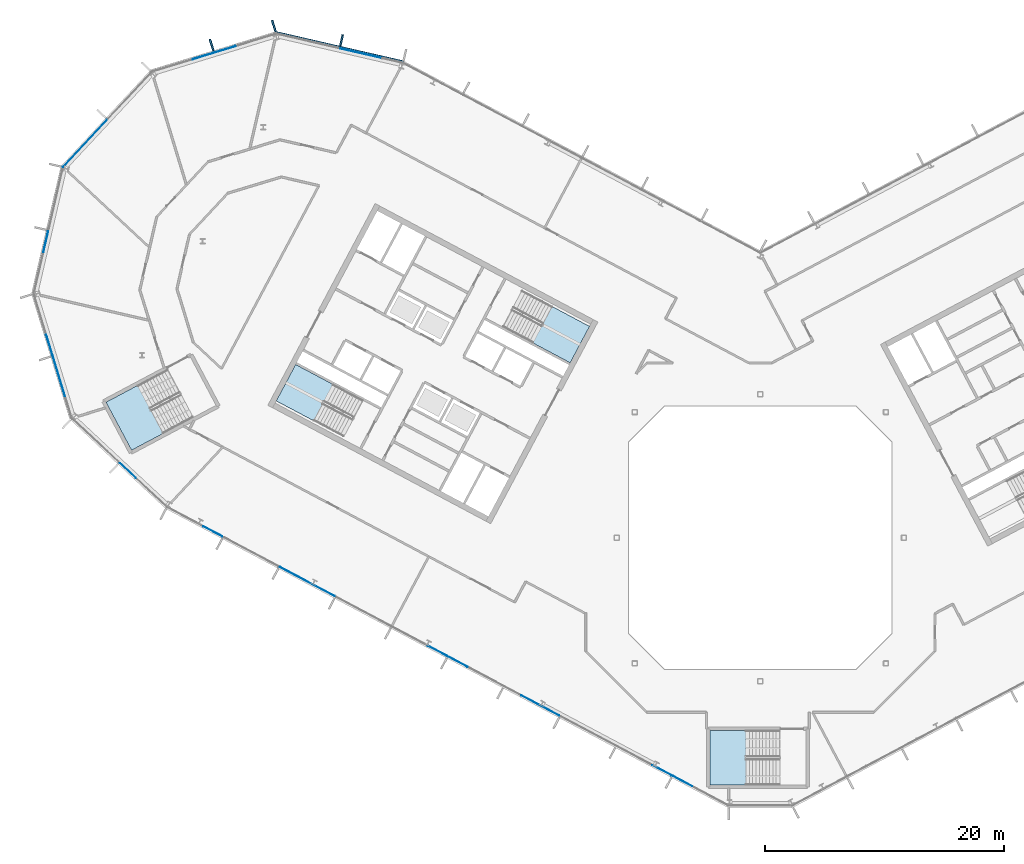
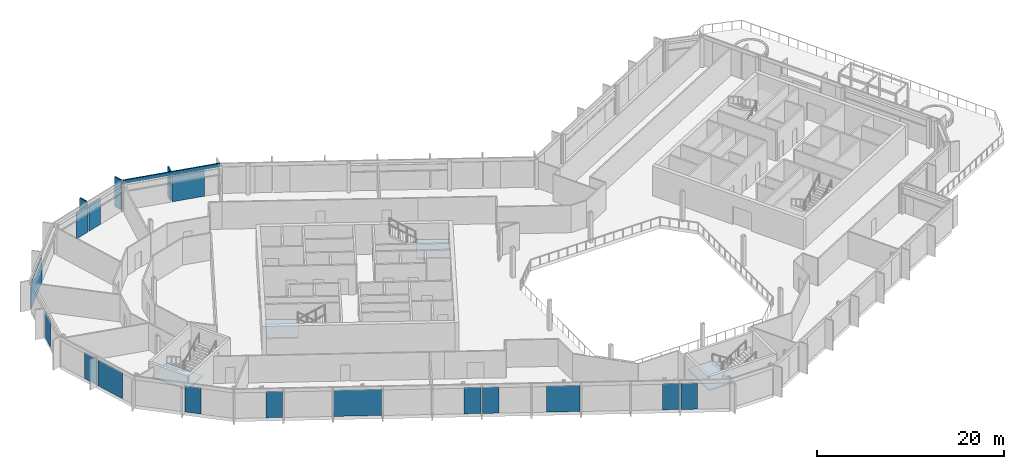
# One storey, part 12 of 30: 15 plates, 4 members, 4 slabs, 11 elements without a shape of their own.
"""IFC4 building model written with IfcOpenShell, lengths in metres."""

from ifc_helpers import new_model, si_unit, direction, frame, origin, origin_2d, place, context, subcontext, project, spatial, polyline, rectangle, outline, extrude, material, layer, layer_set, material_profile, profile_set, type_object, element, aggregate, save


model = new_model("IFC4")

# Units and contexts
model_context = context("Model", 3, precision=1e-05, world=origin(), true_north=direction((0.0, 1.0)))
body_context = subcontext(model_context, "Body", "Model", "MODEL_VIEW")
ifc_project = project(units=[si_unit("LENGTHUNIT", "METRE"), si_unit("AREAUNIT", "SQUARE_METRE"), si_unit("VOLUMEUNIT", "CUBIC_METRE"), si_unit("PLANEANGLEUNIT", "RADIAN"), si_unit("MASSUNIT", "GRAM", prefix="KILO")], contexts=[model_context])

# Site, building, storey
site_placement = place(None, origin())
site = spatial("IfcSite", under=ifc_project, at=site_placement, CompositionType="ELEMENT")
building_placement = place(site_placement, origin())
building = spatial("IfcBuilding", under=site, at=building_placement, Name="Cormorant Relay Tower", CompositionType="ELEMENT")
storey_placement = place(building_placement, frame((0.0, 0.0, 258.0)))
storey = spatial("IfcBuildingStorey", under=building, at=storey_placement, Name="L57", CompositionType="ELEMENT", Elevation=258.0)

# Curtain wall, member
ifc_material_1 = material(Name="Aluminium 6063-T6 anodised bronze", Category="aluminium")
ifc_layer_1 = layer(ifc_material_1, 0.199951171875)
ifc_layer_set_1 = layer_set([ifc_layer_1], Name="CW1 unitised bronze curtain wall with vertical fins")
curtain_wall_type = type_object("IfcCurtainWallType", Name="CW1 unitised bronze curtain wall with vertical fins", PredefinedType="NOTDEFINED", material=ifc_layer_set_1)
curtain_wall_1_placement = place(storey_placement, origin())
curtain_wall_1 = element("IfcCurtainWall", 1, at=curtain_wall_1_placement, inside=storey, type_object=curtain_wall_type, Name="CW1 curtain wall 10", PredefinedType="NOTDEFINED")
ifc_material_2 = material(Name="Aluminium 6063-T6 anodised bronze", Category="aluminium")
ifc_material_profile_1 = material_profile(ifc_material_2, rectangle(XDim=0.14990234375, YDim=1.0, at=origin_2d()), Name="AL 150x1000")
ifc_profile_set_1 = profile_set([ifc_material_profile_1], Name="Aluminium 6063-T6 anodised bronze")
member_type_1 = type_object("IfcMemberType", Name="CW1 bronze fin mullion 150 x 1000", PredefinedType="MULLION", material=ifc_profile_set_1)
member_1_placement = place(storey_placement, frame((-35.01220703125, 41.57275390625, 0.0), z_axis=(0.0, 0.0, 1.0), x_axis=(-0.974370064785, 0.224951054344, 0.0)))
member_1 = element("IfcMember", 2, at=member_1_placement, type_object=member_type_1, Name="CW1 fin 10.2", PredefinedType="MULLION", context=body_context, shape_type="SweptSolid", body=[
    extrude(rectangle(XDim=0.14990234375, YDim=1.0, at=origin_2d()), origin(), (0.0, 0.0, 1.0), 3.89990234375),
])

# Curtain wall, members
curtain_wall_2_placement = place(storey_placement, origin())
curtain_wall_2 = element("IfcCurtainWall", 3, at=curtain_wall_2_placement, inside=storey, type_object=curtain_wall_type, Name="CW1 curtain wall 11", PredefinedType="NOTDEFINED")
member_2_placement = place(storey_placement, frame((-40.670166015625, 42.78271484375, 0.0), z_axis=(0.0, 0.0, 1.0), x_axis=(-0.956304755963, -0.292371704723, 0.0)))
member_2 = element("IfcMember", 4, at=member_2_placement, type_object=member_type_1, Name="CW1 fin 11.1", PredefinedType="MULLION", context=body_context, shape_type="SweptSolid", body=[
    extrude(rectangle(XDim=0.14990234375, YDim=1.0, at=origin_2d()), origin(), (0.0, 0.0, 1.0), 3.89990234375),
])
member_3_placement = place(storey_placement, frame((-45.867919921875, 41.193603515625, 0.0), z_axis=(0.0, 0.0, 1.0), x_axis=(-0.956304755963, -0.292371704723, 0.0)))
member_3 = element("IfcMember", 5, at=member_3_placement, type_object=member_type_1, Name="CW1 fin 11.2", PredefinedType="MULLION", context=body_context, shape_type="SweptSolid", body=[
    extrude(rectangle(XDim=0.14990234375, YDim=1.0, at=origin_2d()), origin(), (0.0, 0.0, 1.0), 3.89990234375),
])

# Member
ifc_material_3 = material(Name="Aluminium 6063-T6 anodised bronze", Category="aluminium")
ifc_material_profile_2 = material_profile(ifc_material_3, rectangle(XDim=0.159912109375, YDim=0.449951171875, at=origin_2d()), Name="AL 160x450")
ifc_profile_set_2 = profile_set([ifc_material_profile_2], Name="Aluminium 6063-T6 anodised bronze")
member_type_2 = type_object("IfcMemberType", Name="CW1 bronze transom 160 x 450", PredefinedType="USERDEFINED", material=ifc_profile_set_2)
member_4_placement = place(storey_placement, frame((-29.8466796875, 39.784912109375, 3.675048828125), z_axis=(-0.974365070969, 0.224972683844, 0.0), x_axis=(-0.224972683844, -0.974365070969, 0.0)))
member_4 = element("IfcMember", 6, at=member_4_placement, type_object=member_type_2, Name="CW1 transom 10", ObjectType="TRANSOM", PredefinedType="USERDEFINED", context=body_context, shape_type="SweptSolid", body=[
    extrude(rectangle(XDim=0.159912109375, YDim=0.449951171875, at=origin_2d()), origin(), (0.0, 0.0, 1.0), 10.870361328125),
])

# Plate
ifc_material_4 = material(Name="Tinted laminated glass", Category="glass")
ifc_layer_2 = layer(ifc_material_4, 0.0400390625)
ifc_layer_set_2 = layer_set([ifc_layer_2], Name="CW1 tinted vision panel 1800 module")
plate_type_1 = type_object("IfcPlateType", Name="CW1 tinted vision panel 1800 module", PredefinedType="CURTAIN_PANEL", material=ifc_layer_set_2)
plate_1_placement = place(storey_placement, frame((-44.73681640625, 40.82861328125, 0.0), z_axis=(0.0, 0.0, 1.0), x_axis=(-0.956304755963, -0.292371704723, 0.0)))
plate_1 = element("IfcPlate", 7, at=plate_1_placement, type_object=plate_type_1, Name="CW1 panel V01", PredefinedType="CURTAIN_PANEL", context=body_context, shape_type="SweptSolid", body=[
    extrude(rectangle(XDim=1.800048828125, YDim=0.0400390625, at=origin_2d()), origin(), (0.0, 0.0, 1.0), 3.449951171875),
])

plate_2_placement = place(storey_placement, frame((-46.6015625, 40.25830078125, 0.0), z_axis=(0.0, 0.0, 1.0), x_axis=(-0.956304755963, -0.292371704723, 0.0)))
plate_2 = element("IfcPlate", 8, at=plate_2_placement, type_object=plate_type_1, Name="CW1 panel V02", PredefinedType="CURTAIN_PANEL", context=body_context, shape_type="SweptSolid", body=[
    extrude(rectangle(XDim=1.800048828125, YDim=0.0400390625, at=origin_2d()), origin(), (0.0, 0.0, 1.0), 3.449951171875),
])

aggregate(curtain_wall_2, [member_2, member_3, plate_1, plate_2])

# Curtain wall, plate
curtain_wall_3_placement = place(storey_placement, origin())
curtain_wall_3 = element("IfcCurtainWall", 9, at=curtain_wall_3_placement, inside=storey, type_object=curtain_wall_type, Name="CW1 curtain wall 13", PredefinedType="NOTDEFINED")
plate_3_placement = place(storey_placement, frame((-59.736083984375, 24.74365234375, 0.0), z_axis=(0.0, 0.0, 1.0), x_axis=(-0.224951054344, -0.974370064785, 0.0)))
plate_3 = element("IfcPlate", 10, at=plate_3_placement, type_object=plate_type_1, Name="CW1 panel V01", PredefinedType="CURTAIN_PANEL", context=body_context, shape_type="SweptSolid", body=[
    extrude(rectangle(XDim=1.800048828125, YDim=0.0400390625, at=origin_2d()), origin(), (0.0, 0.0, 1.0), 3.449951171875),
])
aggregate(curtain_wall_3, [plate_3])

curtain_wall_4_placement = place(storey_placement, origin())
curtain_wall_4 = element("IfcCurtainWall", 11, at=curtain_wall_4_placement, inside=storey, type_object=curtain_wall_type, Name="CW1 curtain wall 14", PredefinedType="NOTDEFINED")
plate_4_placement = place(storey_placement, frame((-59.434814453125, 16.122314453125, 0.0), z_axis=(0.0, 0.0, 1.0), x_axis=(0.292371704723, -0.956304755963, 0.0)))
plate_4 = element("IfcPlate", 12, at=plate_4_placement, type_object=plate_type_1, Name="CW1 panel V01", PredefinedType="CURTAIN_PANEL", context=body_context, shape_type="SweptSolid", body=[
    extrude(rectangle(XDim=1.800048828125, YDim=0.0400390625, at=origin_2d()), origin(), (0.0, 0.0, 1.0), 3.449951171875),
])

curtain_wall_5_placement = place(storey_placement, origin())
curtain_wall_5 = element("IfcCurtainWall", 13, at=curtain_wall_5_placement, inside=storey, type_object=curtain_wall_type, Name="CW1 curtain wall 15", PredefinedType="NOTDEFINED")
plate_5_placement = place(storey_placement, frame((-52.8671875, 5.611572265625, 0.0), z_axis=(0.0, 0.0, 1.0), x_axis=(0.731353701619, -0.681998360062, 0.0)))
plate_5 = element("IfcPlate", 14, at=plate_5_placement, type_object=plate_type_1, Name="CW1 panel V01", PredefinedType="CURTAIN_PANEL", context=body_context, shape_type="SweptSolid", body=[
    extrude(rectangle(XDim=1.800048828125, YDim=0.0400390625, at=origin_2d()), origin(), (0.0, 0.0, 1.0), 3.449951171875),
])
aggregate(curtain_wall_5, [plate_5])

# Curtain wall, plates
curtain_wall_6_placement = place(storey_placement, origin())
curtain_wall_6 = element("IfcCurtainWall", 15, at=curtain_wall_6_placement, inside=storey, type_object=curtain_wall_type, Name="CW1 curtain wall 16", PredefinedType="NOTDEFINED")
plate_6_placement = place(storey_placement, frame((-45.767578125, 0.5283203125, 0.0), z_axis=(0.0, 0.0, 1.0), x_axis=(0.882947592859, -0.469471562786, 0.0)))
plate_6 = element("IfcPlate", 16, at=plate_6_placement, type_object=plate_type_1, Name="CW1 panel V01", PredefinedType="CURTAIN_PANEL", context=body_context, shape_type="SweptSolid", body=[
    extrude(rectangle(XDim=1.800048828125, YDim=0.0400390625, at=origin_2d()), origin(), (0.0, 0.0, 1.0), 3.449951171875),
])
plate_7_placement = place(storey_placement, frame((-26.990478515625, -9.45556640625, 0.0), z_axis=(0.0, 0.0, 1.0), x_axis=(0.882947592859, -0.469471562786, 0.0)))
plate_7 = element("IfcPlate", 17, at=plate_7_placement, type_object=plate_type_1, Name="CW1 panel V05", PredefinedType="CURTAIN_PANEL", context=body_context, shape_type="SweptSolid", body=[
    extrude(rectangle(XDim=1.800048828125, YDim=0.0400390625, at=origin_2d()), origin(), (0.0, 0.0, 1.0), 3.449951171875),
])
plate_8_placement = place(storey_placement, frame((-25.268798828125, -10.37109375, 0.0), z_axis=(0.0, 0.0, 1.0), x_axis=(0.882947592859, -0.469471562786, 0.0)))
plate_8 = element("IfcPlate", 18, at=plate_8_placement, type_object=plate_type_1, Name="CW1 panel V06", PredefinedType="CURTAIN_PANEL", context=body_context, shape_type="SweptSolid", body=[
    extrude(rectangle(XDim=1.800048828125, YDim=0.0400390625, at=origin_2d()), origin(), (0.0, 0.0, 1.0), 3.449951171875),
])
plate_9_placement = place(storey_placement, frame((-8.21337890625, -19.439453125, 0.0), z_axis=(0.0, 0.0, 1.0), x_axis=(0.882947592859, -0.469471562786, 0.0)))
plate_9 = element("IfcPlate", 19, at=plate_9_placement, type_object=plate_type_1, Name="CW1 panel V10", PredefinedType="CURTAIN_PANEL", context=body_context, shape_type="SweptSolid", body=[
    extrude(rectangle(XDim=1.800048828125, YDim=0.0400390625, at=origin_2d()), origin(), (0.0, 0.0, 1.0), 3.449951171875),
])
plate_10_placement = place(storey_placement, frame((-6.49169921875, -20.35498046875, 0.0), z_axis=(0.0, 0.0, 1.0), x_axis=(0.882947592859, -0.469471562786, 0.0)))
plate_10 = element("IfcPlate", 20, at=plate_10_placement, type_object=plate_type_1, Name="CW1 panel V11", PredefinedType="CURTAIN_PANEL", context=body_context, shape_type="SweptSolid", body=[
    extrude(rectangle(XDim=1.800048828125, YDim=0.0400390625, at=origin_2d()), origin(), (0.0, 0.0, 1.0), 3.449951171875),
])

# Plate
ifc_material_5 = material(Name="Tinted laminated glass", Category="glass")
ifc_layer_3 = layer(ifc_material_5, 0.0400390625)
ifc_layer_set_3 = layer_set([ifc_layer_3], Name="CW1 tinted vision panel 3600 module")
plate_type_2 = type_object("IfcPlateType", Name="CW1 tinted vision panel 3600 module", PredefinedType="CURTAIN_PANEL", material=ifc_layer_set_3)
plate_11_placement = place(storey_placement, frame((-33.338134765625, 40.488525390625, 0.0), z_axis=(0.0, 0.0, 1.0), x_axis=(-0.974370064785, 0.224951054344, 0.0)))
plate_11 = element("IfcPlate", 21, at=plate_11_placement, type_object=plate_type_2, Name="CW1 panel V01", PredefinedType="CURTAIN_PANEL", context=body_context, shape_type="SweptSolid", body=[
    extrude(rectangle(XDim=3.60009765625, YDim=0.0400390625, at=origin_2d()), origin(), (0.0, 0.0, 1.0), 3.449951171875),
])

aggregate(curtain_wall_1, [member_1, member_4, plate_11])

plate_12_placement = place(storey_placement, frame((-58.601806640625, 13.396728515625, 0.0), z_axis=(0.0, 0.0, 1.0), x_axis=(0.292371704723, -0.956304755963, 0.0)))
plate_12 = element("IfcPlate", 22, at=plate_12_placement, type_object=plate_type_2, Name="CW1 panel V02", PredefinedType="CURTAIN_PANEL", context=body_context, shape_type="SweptSolid", body=[
    extrude(rectangle(XDim=3.60009765625, YDim=0.0400390625, at=origin_2d()), origin(), (0.0, 0.0, 1.0), 3.449951171875),
])

aggregate(curtain_wall_4, [plate_4, plate_12])

plate_13_placement = place(storey_placement, frame((-18.396484375, -14.02490234375, 0.0), z_axis=(0.0, 0.0, 1.0), x_axis=(0.882947592859, -0.469471562786, 0.0)))
plate_13 = element("IfcPlate", 23, at=plate_13_placement, type_object=plate_type_2, Name="CW1 panel V08", PredefinedType="CURTAIN_PANEL", context=body_context, shape_type="SweptSolid", body=[
    extrude(rectangle(XDim=3.60009765625, YDim=0.0400390625, at=origin_2d()), origin(), (0.0, 0.0, 1.0), 3.449951171875),
])

# Curtain wall, plate
curtain_wall_7_placement = place(storey_placement, origin())
curtain_wall_7 = element("IfcCurtainWall", 24, at=curtain_wall_7_placement, inside=storey, type_object=curtain_wall_type, Name="CW1 curtain wall 12", PredefinedType="NOTDEFINED")
ifc_material_6 = material(Name="Tinted laminated glass", Category="glass")
ifc_layer_4 = layer(ifc_material_6, 0.0400390625)
ifc_layer_set_4 = layer_set([ifc_layer_4], Name="CW1 tinted vision panel 5400 module")
plate_type_3 = type_object("IfcPlateType", Name="CW1 tinted vision panel 5400 module", PredefinedType="CURTAIN_PANEL", material=ifc_layer_set_4)
plate_14_placement = place(storey_placement, frame((-56.461181640625, 32.958984375, 0.0), z_axis=(0.0, 0.0, 1.0), x_axis=(-0.681998360062, -0.731353701619, 0.0)))
plate_14 = element("IfcPlate", 25, at=plate_14_placement, type_object=plate_type_3, Name="CW1 panel V01", PredefinedType="CURTAIN_PANEL", context=body_context, shape_type="SweptSolid", body=[
    extrude(rectangle(XDim=5.360107421875, YDim=0.0400390625, at=origin_2d()), origin(), (0.0, 0.0, 1.0), 3.449951171875),
])
aggregate(curtain_wall_7, [plate_14])

# Plate
plate_15_placement = place(storey_placement, frame((-37.865234375, -3.67333984375, 0.0), z_axis=(0.0, 0.0, 1.0), x_axis=(0.882947592859, -0.469471562786, 0.0)))
plate_15 = element("IfcPlate", 26, at=plate_15_placement, type_object=plate_type_3, Name="CW1 panel V03", PredefinedType="CURTAIN_PANEL", context=body_context, shape_type="SweptSolid", body=[
    extrude(rectangle(XDim=5.16650390625, YDim=0.0400390625, at=origin_2d()), origin(), (0.0, 0.0, 1.0), 3.449951171875),
])

aggregate(curtain_wall_6, [plate_6, plate_15, plate_7, plate_8, plate_13, plate_9, plate_10])

# Stair, slab
ifc_material_7 = material(Name="Concrete 40 MPa", Category="concrete")
stair_type_1 = type_object("IfcStairType", Name="Exit stair 1500", PredefinedType="HALF_TURN_STAIR", material=ifc_material_7)
stair_1_placement = place(storey_placement, origin())
stair_1 = element("IfcStair", 27, at=stair_1_placement, inside=storey, type_object=stair_type_1, Name="L57 Stair", PredefinedType="HALF_TURN_STAIR")
ifc_material_8 = material(Name="Concrete 40 MPa", Category="concrete")
ifc_layer_5 = layer(ifc_material_8, 0.199951171875)
ifc_layer_set_5 = layer_set([ifc_layer_5], Name="Exit stair landing 200")
slab_type = type_object("IfcSlabType", Name="Exit stair landing 200", PredefinedType="LANDING", material=ifc_layer_set_5)
slab_1_placement = place(storey_placement, frame((0.0, 0.0, 1.75)))
slab_1 = element("IfcSlab", 28, at=slab_1_placement, type_object=slab_type, Name="A1 landing 1", PredefinedType="LANDING", context=body_context, shape_type="SweptSolid", body=[
    extrude(outline(polyline([(-19.029541015625, 16.29052734375), (-15.89501953125, 14.6240234375), (-14.275390625, 17.670166015625), (-17.40966796875, 19.3369140625), (-19.029541015625, 16.29052734375)])), origin(), (0.0, 0.0, 1.0), 0.199951171875),
])
aggregate(stair_1, [slab_1])

stair_2_placement = place(storey_placement, origin())
stair_2 = element("IfcStair", 29, at=stair_2_placement, inside=storey, type_object=stair_type_1, Name="L57 Stair", PredefinedType="HALF_TURN_STAIR")
slab_2_placement = place(storey_placement, frame((0.0, 0.0, 1.75)))
slab_2 = element("IfcSlab", 30, at=slab_2_placement, type_object=slab_type, Name="A2 landing 1", PredefinedType="LANDING", context=body_context, shape_type="SweptSolid", body=[
    extrude(outline(polyline([(-35.71337890625, 12.816650390625), (-38.84765625, 14.483154296875), (-40.467529296875, 11.43701171875), (-37.3330078125, 9.7705078125), (-35.71337890625, 12.816650390625)])), origin(), (0.0, 0.0, 1.0), 0.199951171875),
])
aggregate(stair_2, [slab_2])

ifc_material_9 = material(Name="Concrete 40 MPa", Category="concrete")
stair_type_2 = type_object("IfcStairType", Name="Remote exit stair 2200", PredefinedType="HALF_TURN_STAIR", material=ifc_material_9)
stair_3_placement = place(storey_placement, origin())
stair_3 = element("IfcStair", 31, at=stair_3_placement, inside=storey, type_object=stair_type_2, Name="L57 Stair", PredefinedType="HALF_TURN_STAIR")
slab_3_placement = place(storey_placement, frame((0.0, 0.0, 1.75)))
slab_3 = element("IfcSlab", 32, at=slab_3_placement, type_object=slab_type, Name="RK1 landing 1", PredefinedType="LANDING", context=body_context, shape_type="SweptSolid", body=[
    extrude(outline(polyline([(-1.199951171875, -16.125), (-4.199951171875, -16.125), (-4.199951171875, -20.675048828125), (-1.199951171875, -20.675048828125), (-1.199951171875, -16.125)])), origin(), (0.0, 0.0, 1.0), 0.199951171875),
])
aggregate(stair_3, [slab_3])

stair_4_placement = place(storey_placement, origin())
stair_4 = element("IfcStair", 33, at=stair_4_placement, inside=storey, type_object=stair_type_2, Name="L57 Stair", PredefinedType="HALF_TURN_STAIR")
slab_4_placement = place(storey_placement, frame((0.0, 0.0, 1.75)))
slab_4 = element("IfcSlab", 34, at=slab_4_placement, type_object=slab_type, Name="RP1 landing 1", PredefinedType="LANDING", context=body_context, shape_type="SweptSolid", body=[
    extrude(outline(polyline([(-52.051025390625, 12.7392578125), (-54.699951171875, 11.330810546875), (-52.563720703125, 7.3134765625), (-49.914794921875, 8.721923828125), (-52.051025390625, 12.7392578125)])), origin(), (0.0, 0.0, 1.0), 0.199951171875),
])
aggregate(stair_4, [slab_4])

save(model, "model.ifc")
